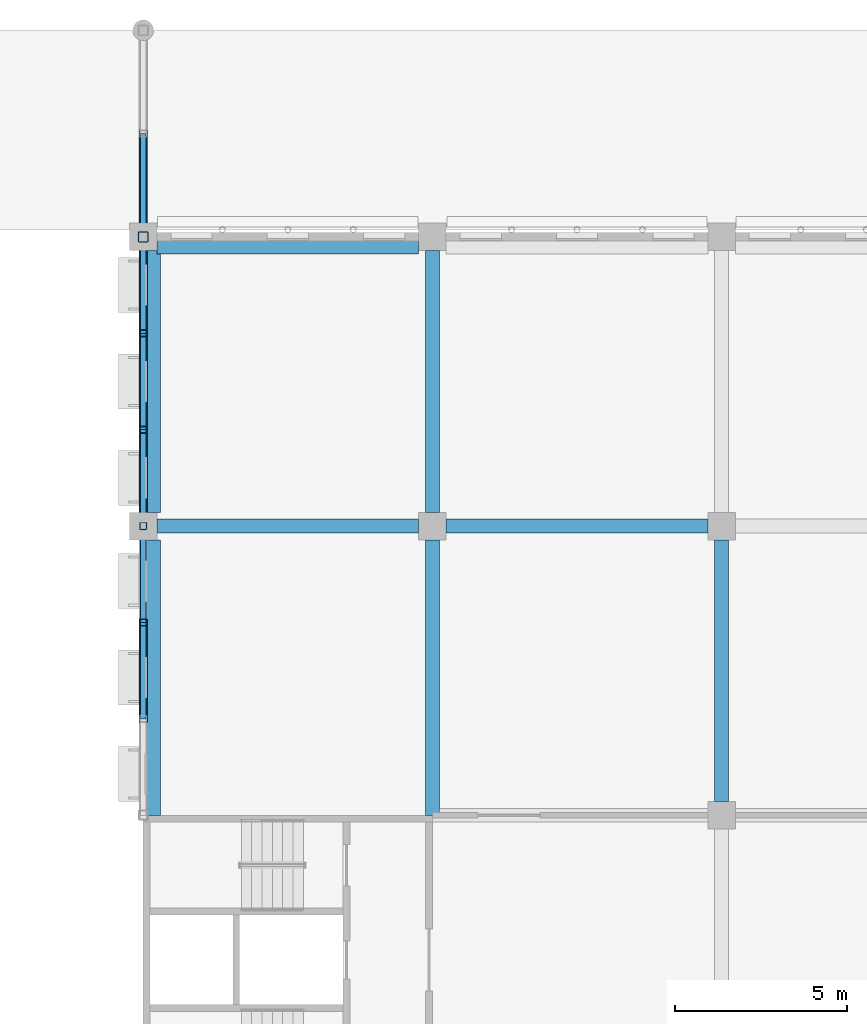
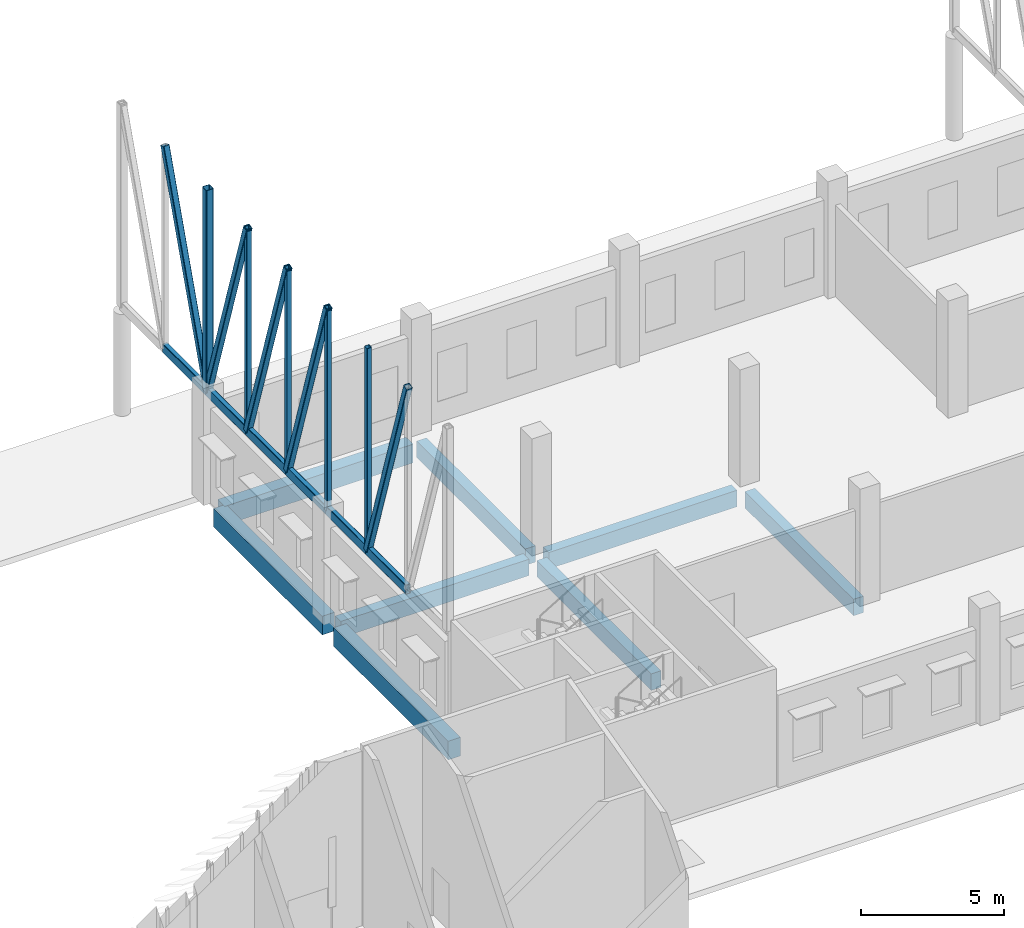
# One storey, part 8 of 101: 16 members, 8 beams.
"""IFC4 building model written with IfcOpenShell, lengths in metres."""

from ifc_helpers import new_model, si_unit, direction, frame, origin, origin_2d, place, context, subcontext, project, spatial, rectangle, hollow_rectangle, extrude, material, material_profile, profile_set, type_object, element, save


model = new_model("IFC4")

# Units and contexts
model_context = context("Model", 3, precision=1e-05, world=origin(), true_north=direction((0.0, 1.0)))
body_context = subcontext(model_context, "Body", "Model", "MODEL_VIEW")
ifc_project = project(units=[si_unit("LENGTHUNIT", "METRE"), si_unit("AREAUNIT", "SQUARE_METRE"), si_unit("VOLUMEUNIT", "CUBIC_METRE"), si_unit("PLANEANGLEUNIT", "RADIAN"), si_unit("MASSUNIT", "GRAM", prefix="KILO")], contexts=[model_context])

# Site, building, storey
site_placement = place(None, origin())
site = spatial("IfcSite", under=ifc_project, at=site_placement, CompositionType="ELEMENT")
building_placement = place(site_placement, origin())
building = spatial("IfcBuilding", under=site, at=building_placement, Name="Almond Square Museum", CompositionType="ELEMENT")
storey_placement = place(building_placement, frame((0.0, 0.0, 5.5)))
storey = spatial("IfcBuildingStorey", under=building, at=storey_placement, Name="L01", CompositionType="ELEMENT", Elevation=5.5)

# Beams
ifc_material_1 = material(Name="Concrete C40/50", Category="concrete")
ifc_material_profile_1 = material_profile(ifc_material_1, rectangle(XDim=0.39990234375, YDim=0.699951171875, at=origin_2d()))
ifc_profile_set_1 = profile_set([ifc_material_profile_1], Name="Concrete C40/50")
beam_type_1 = type_object("IfcBeamType", Name="RC beam 400 x 700 C40/50", PredefinedType="BEAM", material=ifc_profile_set_1)
for number, where, z_axis, x_axis, name in (
    (1, (40.0, 100.800048828125, -0.60009765625), (1.0, 0.0, 0.0), (0.0, 1.0, 0.0), "Beam M 6-7 L01"),
    (2, (48.39990234375, 100.800048828125, -0.60009765625), (1.0, 0.0, 0.0), (0.0, 1.0, 0.0), "Beam M 7-8 L01"),
):
    element("IfcBeam", number, at=place(storey_placement, frame(where, z_axis=z_axis, x_axis=x_axis)), inside=storey, type_object=beam_type_1, Name=name, PredefinedType="BEAM", context=body_context, shape_type="SweptSolid", body=[
        extrude(rectangle(XDim=0.39990234375, YDim=0.699951171875, at=origin_2d()), origin(), (0.0, 0.0, 1.0), 7.60009765625),
    ])
beam_1_placement = place(storey_placement, frame((48.0, 92.39990234375, -0.60009765625), z_axis=(0.0, 1.0, 0.0), x_axis=(-1.0, 0.0, 0.0)))
element("IfcBeam", 3, at=beam_1_placement, inside=storey, type_object=beam_type_1, Name="Beam 7 L-M L01", PredefinedType="BEAM", context=body_context, shape_type="SweptSolid", body=[
    extrude(rectangle(XDim=0.39990234375, YDim=0.699951171875, at=origin_2d()), origin(), (0.0, 0.0, 1.0), 8.0),
])
beam_2_placement = place(storey_placement, frame((48.0, 101.199951171875, -0.60009765625), z_axis=(0.0, 1.0, 0.0), x_axis=(-1.0, 0.0, 0.0)))
element("IfcBeam", 4, at=beam_2_placement, inside=storey, type_object=beam_type_1, Name="Beam 7 M-N L01", PredefinedType="BEAM", context=body_context, shape_type="SweptSolid", body=[
    extrude(rectangle(XDim=0.39990234375, YDim=0.699951171875, at=origin_2d()), origin(), (0.0, 0.0, 1.0), 7.60009765625),
])
beam_3_placement = place(storey_placement, frame((56.39990234375, 92.800048828125, -0.60009765625), z_axis=(0.0, 1.0, 0.0), x_axis=(-1.0, 0.0, 0.0)))
element("IfcBeam", 5, at=beam_3_placement, inside=storey, type_object=beam_type_1, Name="Beam 8 L-M L01", PredefinedType="BEAM", context=body_context, shape_type="SweptSolid", body=[
    extrude(rectangle(XDim=0.39990234375, YDim=0.699951171875, at=origin_2d()), origin(), (0.0, 0.0, 1.0), 7.599853515625),
])
ifc_material_2 = material(Name="Concrete C40/50", Category="concrete")
ifc_material_profile_2 = material_profile(ifc_material_2, rectangle(XDim=0.5, YDim=0.800048828125, at=origin_2d()))
ifc_profile_set_2 = profile_set([ifc_material_profile_2], Name="Concrete C40/50")
beam_type_2 = type_object("IfcBeamType", Name="RC edge beam 500 x 800 C40/50", PredefinedType="BEAM", material=ifc_profile_set_2)
beam_4_placement = place(storey_placement, frame((40.0, 108.949951171875, -0.64990234375), z_axis=(1.0, 0.0, 0.0), x_axis=(0.0, 1.0, 0.0)))
element("IfcBeam", 6, at=beam_4_placement, inside=storey, type_object=beam_type_2, Name="Edge beam N 6-7 L01", PredefinedType="BEAM", context=body_context, shape_type="SweptSolid", body=[
    extrude(rectangle(XDim=0.5, YDim=0.800048828125, at=origin_2d()), origin(), (0.0, 0.0, 1.0), 7.60009765625),
])
beam_5_placement = place(storey_placement, frame((39.85009765625, 92.39990234375, -0.64990234375), z_axis=(0.0, 1.0, 0.0), x_axis=(-1.0, 0.0, 0.0)))
element("IfcBeam", 7, at=beam_5_placement, inside=storey, type_object=beam_type_2, Name="Edge beam 6 L-M L01", PredefinedType="BEAM", context=body_context, shape_type="SweptSolid", body=[
    extrude(rectangle(XDim=0.5, YDim=0.800048828125, at=origin_2d()), origin(), (0.0, 0.0, 1.0), 8.0),
])
beam_6_placement = place(storey_placement, frame((39.85009765625, 101.199951171875, -0.64990234375), z_axis=(0.0, 1.0, 0.0), x_axis=(-1.0, 0.0, 0.0)))
element("IfcBeam", 8, at=beam_6_placement, inside=storey, type_object=beam_type_2, Name="Edge beam 6 M-N L01", PredefinedType="BEAM", context=body_context, shape_type="SweptSolid", body=[
    extrude(rectangle(XDim=0.5, YDim=0.800048828125, at=origin_2d()), origin(), (0.0, 0.0, 1.0), 7.60009765625),
])

# Members
ifc_material_3 = material(Name="Structural steel S355", Category="steel")
ifc_material_profile_3 = material_profile(ifc_material_3, hollow_rectangle(XDim=0.199951171875, YDim=0.39990234375, WallThickness=0.012451171875, InnerFilletRadius=0.02490234375, OuterFilletRadius=0.03759765625, at=origin_2d()))
ifc_profile_set_3 = profile_set([ifc_material_profile_3], Name="Structural steel S355")
member_type_1 = type_object("IfcMemberType", Name="Truss chord RHS 400x200x12.5", PredefinedType="CHORD", material=ifc_profile_set_3)
for number, where, z_axis, x_axis, name in (
    (9, (39.60009765625, 95.199951171875, 4.550048828125), (0.0, 1.0, 0.0), (-1.0, 0.0, 0.0), "TR-16 bottom chord 2"),
    (10, (39.60009765625, 98.0, 4.550048828125), (0.0, 1.0, 0.0), (-1.0, 0.0, 0.0), "TR-16 bottom chord 3"),
    (11, (39.60009765625, 100.800048828125, 4.550048828125), (0.0, 1.0, 0.0), (-1.0, 0.0, 0.0), "TR-16 bottom chord 4"),
):
    element("IfcMember", number, at=place(storey_placement, frame(where, z_axis=z_axis, x_axis=x_axis)), inside=storey, type_object=member_type_1, Name=name, PredefinedType="CHORD", context=body_context, shape_type="SweptSolid", body=[
        extrude(hollow_rectangle(XDim=0.199951171875, YDim=0.39990234375, WallThickness=0.012451171875, InnerFilletRadius=0.02490234375, OuterFilletRadius=0.03759765625, at=origin_2d()), origin(), (0.0, 0.0, 1.0), 2.800048828125),
    ])
member_1_placement = place(storey_placement, frame((39.60009765625, 103.60009765625, 4.550048828125), z_axis=(0.0, 1.0, 0.0), x_axis=(-1.0, 0.0, 0.0)))
element("IfcMember", 12, at=member_1_placement, inside=storey, type_object=member_type_1, Name="TR-16 bottom chord 5", PredefinedType="CHORD", context=body_context, shape_type="SweptSolid", body=[
    extrude(hollow_rectangle(XDim=0.199951171875, YDim=0.39990234375, WallThickness=0.012451171875, InnerFilletRadius=0.02490234375, OuterFilletRadius=0.03759765625, at=origin_2d()), origin(), (0.0, 0.0, 1.0), 2.7998046875),
])
member_2_placement = place(storey_placement, frame((39.60009765625, 106.39990234375, 4.550048828125), z_axis=(0.0, 1.0, 0.0), x_axis=(-1.0, 0.0, 0.0)))
element("IfcMember", 13, at=member_2_placement, inside=storey, type_object=member_type_1, Name="TR-16 bottom chord 6", PredefinedType="CHORD", context=body_context, shape_type="SweptSolid", body=[
    extrude(hollow_rectangle(XDim=0.199951171875, YDim=0.39990234375, WallThickness=0.012451171875, InnerFilletRadius=0.02490234375, OuterFilletRadius=0.03759765625, at=origin_2d()), origin(), (0.0, 0.0, 1.0), 2.800048828125),
])
member_3_placement = place(storey_placement, frame((39.60009765625, 109.199951171875, 4.550048828125), z_axis=(0.0, 1.0, 0.0), x_axis=(-1.0, 0.0, 0.0)))
element("IfcMember", 14, at=member_3_placement, inside=storey, type_object=member_type_1, Name="TR-16 bottom chord 7", PredefinedType="CHORD", context=body_context, shape_type="SweptSolid", body=[
    extrude(hollow_rectangle(XDim=0.199951171875, YDim=0.39990234375, WallThickness=0.012451171875, InnerFilletRadius=0.02490234375, OuterFilletRadius=0.03759765625, at=origin_2d()), origin(), (0.0, 0.0, 1.0), 3.0),
])
ifc_material_4 = material(Name="Structural steel S355", Category="steel")
ifc_material_profile_4 = material_profile(ifc_material_4, hollow_rectangle(XDim=0.25, YDim=0.25, WallThickness=0.012451171875, InnerFilletRadius=0.02490234375, OuterFilletRadius=0.03759765625, at=origin_2d()))
ifc_profile_set_4 = profile_set([ifc_material_profile_4], Name="Structural steel S355")
member_type_2 = type_object("IfcMemberType", Name="Truss diagonal SHS 250x250x12.5", PredefinedType="BRACE", material=ifc_profile_set_4)
for number, where, z_axis, x_axis, name in (
    (15, (39.60009765625, 95.199951171875, 13.199951171875), (0.0, 0.307974711219, -0.95139454342), (-1.0, 0.0, 0.0), "TR-16 diagonal 2"),
    (16, (39.60009765625, 100.800048828125, 13.199951171875), (0.0, 0.307974711219, -0.95139454342), (-1.0, 0.0, 0.0), "TR-16 diagonal 4"),
    (17, (39.60009765625, 103.60009765625, 13.199951171875), (0.0, 0.307950405067, -0.95140241119), (-1.0, 0.0, 0.0), "TR-16 diagonal 5"),
    (18, (39.60009765625, 106.39990234375, 13.199951171875), (0.0, 0.307974711219, -0.95139454342), (-1.0, 0.0, 0.0), "TR-16 diagonal 6"),
):
    element("IfcMember", number, at=place(storey_placement, frame(where, z_axis=z_axis, x_axis=x_axis)), inside=storey, type_object=member_type_2, Name=name, PredefinedType="BRACE", context=body_context, shape_type="SweptSolid", body=[
        extrude(hollow_rectangle(XDim=0.25, YDim=0.25, WallThickness=0.012451171875, InnerFilletRadius=0.02490234375, OuterFilletRadius=0.03759765625, at=origin_2d()), origin(), (0.0, 0.0, 1.0), 9.091796875),
    ])
member_4_placement = place(storey_placement, frame((39.60009765625, 109.199951171875, 4.550048828125), z_axis=(0.0, 0.327676522977, 0.944789974698), x_axis=(-1.0, 0.0, 0.0)))
element("IfcMember", 19, at=member_4_placement, inside=storey, type_object=member_type_2, Name="TR-16 diagonal 7", PredefinedType="BRACE", context=body_context, shape_type="SweptSolid", body=[
    extrude(hollow_rectangle(XDim=0.25, YDim=0.25, WallThickness=0.012451171875, InnerFilletRadius=0.02490234375, OuterFilletRadius=0.03759765625, at=origin_2d()), origin(), (0.0, 0.0, 1.0), 9.1552734375),
])
ifc_material_5 = material(Name="Structural steel S355", Category="steel")
ifc_material_profile_5 = material_profile(ifc_material_5, hollow_rectangle(XDim=0.199951171875, YDim=0.199951171875, WallThickness=0.010009765625, InnerFilletRadius=0.014892578125, OuterFilletRadius=0.02490234375, at=origin_2d()))
ifc_profile_set_5 = profile_set([ifc_material_profile_5], Name="Structural steel S355")
member_type_3 = type_object("IfcMemberType", Name="Truss post SHS 200x200x10", PredefinedType="POST", material=ifc_profile_set_5)
for number, where, z_axis, x_axis, name in (
    (20, (39.60009765625, 98.0, 4.550048828125), (0.0, 0.0, 1.0), (1.0, 0.0, 0.0), "TR-16 post 3"),
    (21, (39.60009765625, 100.800048828125, 4.550048828125), (0.0, 0.0, 1.0), (1.0, 0.0, 0.0), "TR-16 post 4"),
    (22, (39.60009765625, 103.60009765625, 4.550048828125), (0.0, 0.0, 1.0), (1.0, 0.0, 0.0), "TR-16 post 5"),
    (23, (39.60009765625, 106.39990234375, 4.550048828125), (0.0, 0.0, 1.0), (1.0, 0.0, 0.0), "TR-16 post 6"),
):
    element("IfcMember", number, at=place(storey_placement, frame(where, z_axis=z_axis, x_axis=x_axis)), inside=storey, type_object=member_type_3, Name=name, PredefinedType="POST", context=body_context, shape_type="SweptSolid", body=[
        extrude(hollow_rectangle(XDim=0.199951171875, YDim=0.199951171875, WallThickness=0.010009765625, InnerFilletRadius=0.014892578125, OuterFilletRadius=0.02490234375, at=origin_2d()), origin(), (0.0, 0.0, 1.0), 8.64990234375),
    ])
ifc_material_6 = material(Name="Structural steel S355", Category="steel")
ifc_material_profile_6 = material_profile(ifc_material_6, hollow_rectangle(XDim=0.300048828125, YDim=0.300048828125, WallThickness=0.012451171875, InnerFilletRadius=0.02490234375, OuterFilletRadius=0.03759765625, at=origin_2d()))
ifc_profile_set_6 = profile_set([ifc_material_profile_6], Name="Structural steel S355")
member_type_4 = type_object("IfcMemberType", Name="Truss post SHS 300x300x12.5", PredefinedType="POST", material=ifc_profile_set_6)
member_5_placement = place(storey_placement, frame((39.60009765625, 109.199951171875, 4.550048828125), z_axis=(0.0, 0.0, 1.0), x_axis=(1.0, 0.0, 0.0)))
element("IfcMember", 24, at=member_5_placement, inside=storey, type_object=member_type_4, Name="TR-16 post 7", PredefinedType="POST", context=body_context, shape_type="SweptSolid", body=[
    extrude(hollow_rectangle(XDim=0.300048828125, YDim=0.300048828125, WallThickness=0.012451171875, InnerFilletRadius=0.02490234375, OuterFilletRadius=0.03759765625, at=origin_2d()), origin(), (0.0, 0.0, 1.0), 8.64990234375),
])

save(model, "model.ifc")
